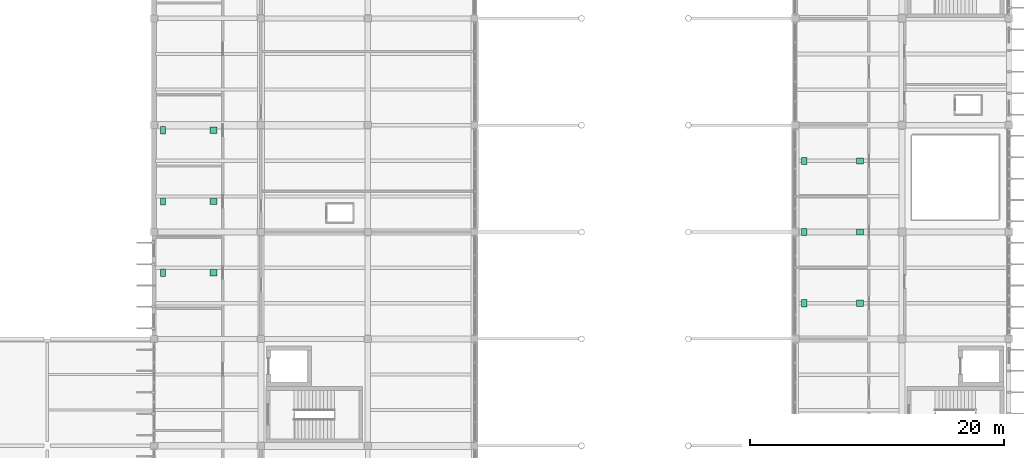
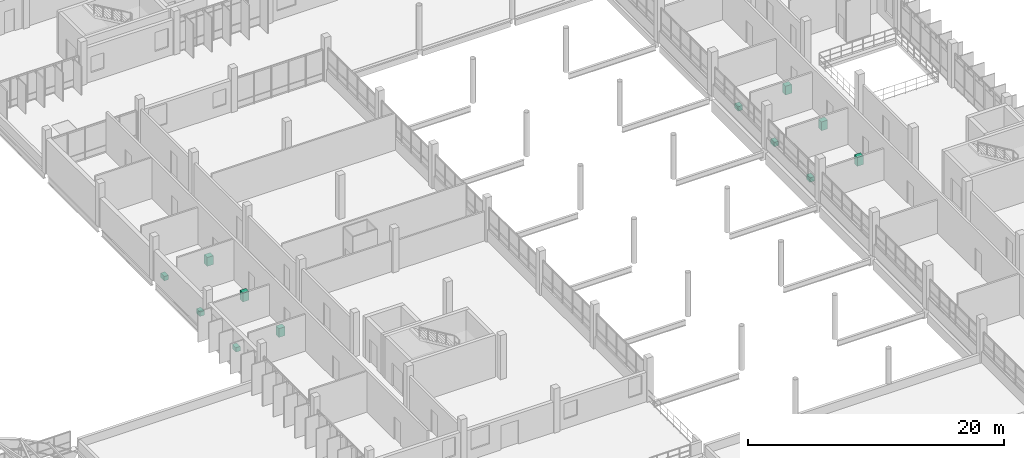
# One storey, part 130 of 130: 12 sanitary terminals.
"""IFC4 building model written with IfcOpenShell, lengths in metres."""

from ifc_helpers import new_model, si_unit, direction, frame, origin, origin_2d, place, context, subcontext, project, spatial, rectangle, extrude, material, type_object, element, save


model = new_model("IFC4")

# Units and contexts
model_context = context("Model", 3, precision=1e-05, world=origin(), true_north=direction((0.0, 1.0)))
body_context = subcontext(model_context, "Body", "Model", "MODEL_VIEW")
ifc_project = project(units=[si_unit("LENGTHUNIT", "METRE"), si_unit("AREAUNIT", "SQUARE_METRE"), si_unit("VOLUMEUNIT", "CUBIC_METRE"), si_unit("PLANEANGLEUNIT", "RADIAN"), si_unit("MASSUNIT", "GRAM", prefix="KILO")], contexts=[model_context])

# Site, building, storey
site_placement = place(None, origin())
site = spatial("IfcSite", under=ifc_project, at=site_placement, CompositionType="ELEMENT")
building_placement = place(site_placement, origin())
building = spatial("IfcBuilding", under=site, at=building_placement, Name="Vireocrest Preparatory School", CompositionType="ELEMENT")
storey_placement = place(building_placement, frame((0.0, 0.0, 9.0)))
storey = spatial("IfcBuildingStorey", under=building, at=storey_placement, Name="L02", CompositionType="ELEMENT", Elevation=9.0)

# Sanitary terminals
ifc_material = material(Name="Vitreous china sanitaryware")
sanitary_terminal_type_1 = type_object("IfcSanitaryTerminalType", Name="Accessible Ceramic Washbasin", PredefinedType="WASHHANDBASIN", material=ifc_material)
for number, where, z_axis, x_axis, name in (
    (1, (46.68994140625, 57.39990234375, 0.0), (0.0, 0.0, 1.0), (1.0, 0.0, 0.0), "Accessible Washbasin L02-W2W03"),
    (2, (46.68994140625, 63.0, 0.0), (0.0, 0.0, 1.0), (1.0, 0.0, 0.0), "Accessible Washbasin L02-W2W04"),
    (3, (46.68994140625, 68.60009765625, 0.0), (0.0, 0.0, 1.0), (1.0, 0.0, 0.0), "Accessible Washbasin L02-W2W05"),
    (4, (97.489990234375, 55.0, 0.0), (0.0, 0.0, 1.0), (1.0, 0.0, 0.0), "Accessible Washbasin L02-E2W04"),
    (5, (97.489990234375, 60.60009765625, 0.0), (0.0, 0.0, 1.0), (1.0, 0.0, 0.0), "Accessible Washbasin L02-E2W05"),
    (6, (97.489990234375, 66.199951171875, 0.0), (0.0, 0.0, 1.0), (1.0, 0.0, 0.0), "Accessible Washbasin L02-E2W06"),
):
    element("IfcSanitaryTerminal", number, at=place(storey_placement, frame(where, z_axis=z_axis, x_axis=x_axis)), inside=storey, type_object=sanitary_terminal_type_1, Name=name, PredefinedType="WASHHANDBASIN", context=body_context, shape_type="SweptSolid", body=[
        extrude(rectangle(XDim=0.550048828125, YDim=0.47998046875, at=origin_2d()), origin(), (0.0, 0.0, 1.0), 0.840087890625),
    ])
sanitary_terminal_type_2 = type_object("IfcSanitaryTerminalType", Name="Wall-Hung Vitreous China WC Pan", PredefinedType="TOILETPAN", material=ifc_material)
for number, where, z_axis, x_axis, name in (
    (7, (42.7099609375, 57.39990234375, 0.0), (0.0, 0.0, 1.0), (1.0, 0.0, 0.0), "WC Pan L02-W2W03"),
    (8, (42.7099609375, 63.0, 0.0), (0.0, 0.0, 1.0), (1.0, 0.0, 0.0), "WC Pan L02-W2W04"),
    (9, (42.7099609375, 68.60009765625, 0.0), (0.0, 0.0, 1.0), (1.0, 0.0, 0.0), "WC Pan L02-W2W05"),
    (10, (93.110107421875, 55.0, 0.0), (0.0, 0.0, 1.0), (1.0, 0.0, 0.0), "WC Pan L02-E2W04"),
    (11, (93.110107421875, 60.60009765625, 0.0), (0.0, 0.0, 1.0), (1.0, 0.0, 0.0), "WC Pan L02-E2W05"),
    (12, (93.110107421875, 66.199951171875, 0.0), (0.0, 0.0, 1.0), (1.0, 0.0, 0.0), "WC Pan L02-E2W06"),
):
    element("IfcSanitaryTerminal", number, at=place(storey_placement, frame(where, z_axis=z_axis, x_axis=x_axis)), inside=storey, type_object=sanitary_terminal_type_2, Name=name, PredefinedType="TOILETPAN", context=body_context, shape_type="SweptSolid", body=[
        extrude(rectangle(XDim=0.39990234375, YDim=0.56005859375, at=origin_2d()), origin(), (0.0, 0.0, 1.0), 0.419921875),
    ])

save(model, "model.ifc")
